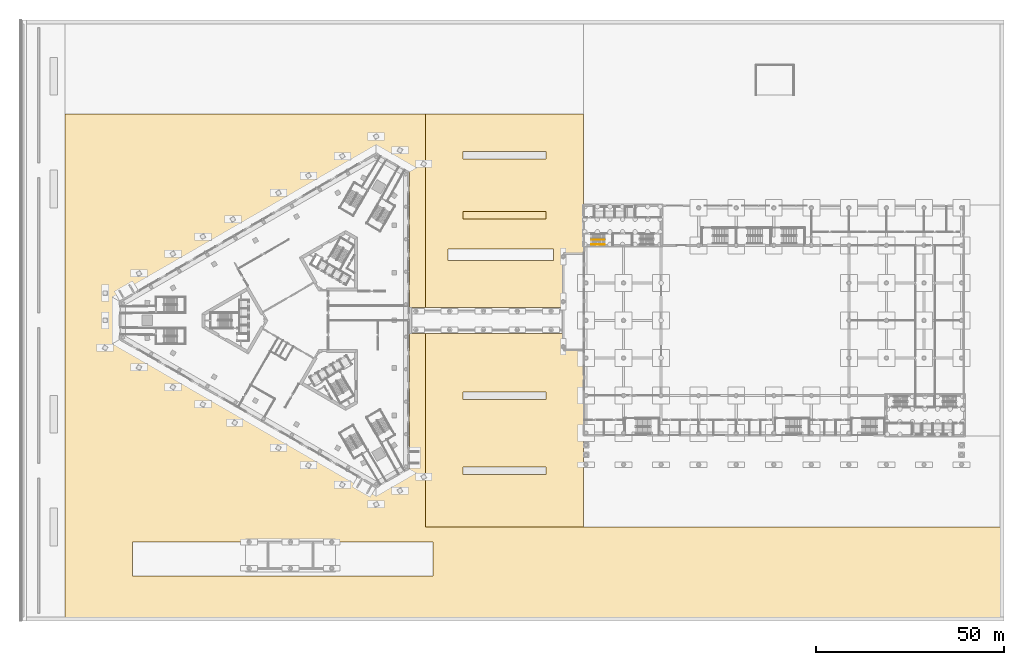
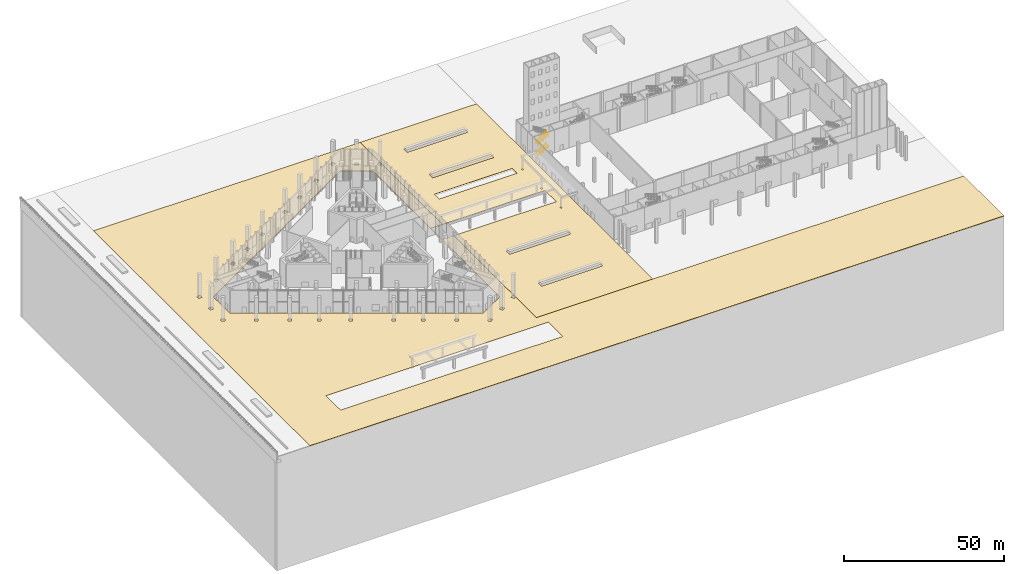
# One storey, part 57 of 63: 4 railings, 3 coverings.
"""IFC4 building model written with IfcOpenShell, lengths in metres."""

import ifcopenshell
import ifcopenshell.guid

model = None  # the IFC model being written
_history = None  # IfcOwnerHistory: only IFC2X3 demands one
_inside = {}  # id of a spatial element -> (the spatial element, [elements in it])
_under = {}  # id of a project, library or spatial element -> (it, [spatial elements below it])
_declared = {}  # id of a project -> (the project, [libraries it declares])
_typed = {}  # id of a type object -> (the type object, [elements of that type])
_made_of = {}  # id of a material, layer set ... -> (it, [elements and type objects made of it])


def new_model(schema):
    """Start an empty IFC model of exactly this schema.

    Asked for "IFC4X3", IfcOpenShell would pick the latest addendum, in which some entities
    have other attributes; the version numbers below select the first issue.
    IFC2X3 requires an IfcOwnerHistory on every rooted entity: one is made here for all.
    """
    global model, _history
    if schema == "IFC4X3":
        model = ifcopenshell.file(schema_version=(4, 3, 0, 0))
    else:
        model = ifcopenshell.file(schema=schema)
    _inside.clear()
    _under.clear()
    _declared.clear()
    _typed.clear()
    _made_of.clear()
    _history = None
    if model.schema == "IFC2X3":
        org = make("IfcOrganization", Name="unknown")
        user = make(
            "IfcPersonAndOrganization",
            ThePerson=make("IfcPerson", FamilyName="unknown"),
            TheOrganization=org,
        )
        app = make(
            "IfcApplication",
            ApplicationDeveloper=org,
            Version="unknown",
            ApplicationFullName="unknown",
            ApplicationIdentifier="unknown",
        )
        _history = make(
            "IfcOwnerHistory",
            OwningUser=user,
            OwningApplication=app,
            ChangeAction="ADDED",
            CreationDate=0,
        )
    return model


def make(cls, **values):
    """One entity of the class cls with the attributes given. An attribute that is None is left unset."""
    return model.create_entity(
        cls, **{name: value for name, value in values.items() if value is not None}
    )


def rooted(cls, **values):
    """An entity with a GlobalId (a new one), such as an element, a storey or a relation."""
    return make(cls, GlobalId=ifcopenshell.guid.new(), OwnerHistory=_history, **values)


def si_unit(unit_type, name, prefix=None):
    """IfcSIUnit, for example si_unit("LENGTHUNIT", "METRE", prefix="MILLI")."""
    return make("IfcSIUnit", UnitType=unit_type, Prefix=prefix, Name=name)


def assignment(units):
    """IfcUnitAssignment: the units of a project."""
    return None if units is None else make("IfcUnitAssignment", Units=units)


def point(xyz):
    """IfcCartesianPoint."""
    return None if xyz is None else make("IfcCartesianPoint", Coordinates=xyz)


def direction(xyz):
    """IfcDirection."""
    return None if xyz is None else make("IfcDirection", DirectionRatios=xyz)


def frame(location, z_axis=None, x_axis=None):
    """IfcAxis2Placement3D, a coordinate frame: its origin and axes. An axis left out is left unset."""
    return make(
        "IfcAxis2Placement3D",
        Location=point(location),
        Axis=direction(z_axis),
        RefDirection=direction(x_axis),
    )


def frame_2d(location, x_axis=None):
    """IfcAxis2Placement2D, a coordinate frame in the plane: its origin and x axis."""
    return make(
        "IfcAxis2Placement2D", Location=point(location), RefDirection=direction(x_axis)
    )


def origin():
    """The frame at (0, 0, 0) with its axes left unset."""
    return frame((0.0, 0.0, 0.0))


def origin_2d():
    """The frame at (0, 0) in the plane with its x axis left unset."""
    return frame_2d((0.0, 0.0))


def place(relative_to, where):
    """IfcLocalPlacement: puts the frame where relative to a parent placement (None: the world)."""
    return make(
        "IfcLocalPlacement", PlacementRelTo=relative_to, RelativePlacement=where
    )


def context(
    kind, dimensions, precision=None, world=None, true_north=None, identifier=None
):
    """IfcGeometricRepresentationContext, for example the 3D "Model" context."""
    return make(
        "IfcGeometricRepresentationContext",
        ContextIdentifier=identifier,
        ContextType=kind,
        CoordinateSpaceDimension=dimensions,
        Precision=precision,
        WorldCoordinateSystem=world,
        TrueNorth=true_north,
    )


def subcontext(parent, identifier, kind, view, scale=None):
    """IfcGeometricRepresentationSubContext, for example "Body" below "Model"."""
    return make(
        "IfcGeometricRepresentationSubContext",
        ContextIdentifier=identifier,
        ContextType=kind,
        ParentContext=parent,
        TargetScale=scale,
        TargetView=view,
    )


def project(units=None, contexts=None):
    """IfcProject with its units and contexts."""
    return rooted(
        "IfcProject",
        Name="project",
        RepresentationContexts=contexts,
        UnitsInContext=assignment(units),
    )


def spatial(cls, under=None, at=None, **own):
    """A site, building, storey or space (cls), placed at a placement, below another one or the project."""
    s = rooted(cls, ObjectPlacement=at, **own)
    if under is not None:
        _under.setdefault(under.id(), (under, []))[1].append(s)
    return s


def polyline(points):
    """IfcPolyline through the points."""
    return make("IfcPolyline", Points=[point(p) for p in points])


def profile(cls, at=None, kind="AREA", **sizes):
    """A parametric profile (cls). Its sizes go by their IFC names, for example OverallWidth=200.0."""
    return make(cls, ProfileType=kind, Position=at, **sizes)


def circle(**sizes):
    """IfcCircleProfileDef."""
    return profile("IfcCircleProfileDef", **sizes)


def outline(outer, holes=None, kind="AREA"):
    """IfcArbitraryClosedProfileDef: a profile drawn as a closed curve; with holes, ...WithVoids."""
    if holes is None:
        return make("IfcArbitraryClosedProfileDef", ProfileType=kind, OuterCurve=outer)
    return make(
        "IfcArbitraryProfileDefWithVoids",
        ProfileType=kind,
        OuterCurve=outer,
        InnerCurves=holes,
    )


def extrude(swept, where, along, depth):
    """IfcExtrudedAreaSolid: the profile swept, set in the frame where, extruded along a direction by depth."""
    return make(
        "IfcExtrudedAreaSolid",
        SweptArea=swept,
        Position=where,
        ExtrudedDirection=direction(along),
        Depth=depth,
    )


def shape(context_of_items, identifier, shape_type, items):
    """IfcShapeRepresentation: the items that make up one representation, for example the "Body"."""
    return make(
        "IfcShapeRepresentation",
        ContextOfItems=context_of_items,
        RepresentationIdentifier=identifier,
        RepresentationType=shape_type,
        Items=items,
    )


def material(Name=None, Category=None):
    """IfcMaterial."""
    return make("IfcMaterial", Name=Name, Category=Category)


def layer(
    of_material, thickness, ventilated=None, Name=None, Category=None, Priority=None
):
    """IfcMaterialLayer: one layer of a wall or slab, of a material (None: an air gap)."""
    return make(
        "IfcMaterialLayer",
        Material=of_material,
        LayerThickness=thickness,
        IsVentilated=ventilated,
        Name=Name,
        Category=Category,
        Priority=Priority,
    )


def layer_set(layers, Name=None):
    """IfcMaterialLayerSet."""
    return make("IfcMaterialLayerSet", MaterialLayers=layers, LayerSetName=Name)


def made_of(thing, what):
    """Note that an element or type object is made of a material, layer set ...; save() writes the relation."""
    if what is not None:
        _made_of.setdefault(what.id(), (what, []))[1].append(thing)
    return thing


def type_object(cls, material=None, **own):
    """A type object (cls), such as IfcWallType, which elements share."""
    return made_of(rooted(cls, **own), material)


def element(
    cls,
    number,
    at=None,
    inside=None,
    cuts=None,
    type_object=None,
    material=None,
    context=None,
    identifier="Body",
    shape_type=None,
    held_by="IfcProductDefinitionShape",
    body=None,
    shapes=None,
    **own,
):
    """One element of the class cls, such as IfcWall. Its Tag is "e" and its number.

    at: its placement. inside: the storey or other place that contains it. cuts: it is an
    opening in that element (IfcRelVoidsElement). A single representation is given by context,
    identifier, shape_type and body (its items); several are given by shapes. held_by: the class
    of the entity that holds the representations. save() writes the other relations.
    """
    e = rooted(cls, Tag="e%d" % number, ObjectPlacement=at, **own)
    if body is not None:
        shapes = [shape(context, identifier, shape_type, body)]
    if shapes is not None:
        e.Representation = make(held_by, Representations=shapes)
    if inside is not None:
        _inside.setdefault(inside.id(), (inside, []))[1].append(e)
    if cuts is not None:
        rooted(
            "IfcRelVoidsElement", RelatingBuildingElement=cuts, RelatedOpeningElement=e
        )
    if type_object is not None:
        _typed.setdefault(type_object.id(), (type_object, []))[1].append(e)
    return made_of(e, material)


def aggregate(whole, parts):
    """IfcRelAggregates: a whole, such as a stair, and the parts it consists of."""
    return rooted("IfcRelAggregates", RelatingObject=whole, RelatedObjects=parts)


def save(model, path):
    """Write the relations noted so far, then the file.

    IfcRelAggregates (storeys below a building ...), IfcRelContainedInSpatialStructure (elements
    in a storey), IfcRelDefinesByType, IfcRelAssociatesMaterial and IfcRelDeclares: one each for
    every whole, place, type object, material and project.
    """
    for whole, parts in _under.values():
        aggregate(whole, parts)
    for where, things in _inside.values():
        rooted(
            "IfcRelContainedInSpatialStructure",
            RelatedElements=things,
            RelatingStructure=where,
        )
    for kind, things in _typed.values():
        rooted("IfcRelDefinesByType", RelatedObjects=things, RelatingType=kind)
    for what, things in _made_of.values():
        rooted("IfcRelAssociatesMaterial", RelatedObjects=things, RelatingMaterial=what)
    for by, libraries in _declared.values():
        rooted("IfcRelDeclares", RelatingContext=by, RelatedDefinitions=libraries)
    model.write(path)


model = new_model("IFC4")

# Units and contexts
model_context = context("Model", 3, precision=1e-05, world=origin(), true_north=direction((0.0, 1.0)))
body_context = subcontext(model_context, "Body", "Model", "MODEL_VIEW")
ifc_project = project(units=[si_unit("LENGTHUNIT", "METRE"), si_unit("AREAUNIT", "SQUARE_METRE"), si_unit("VOLUMEUNIT", "CUBIC_METRE"), si_unit("PLANEANGLEUNIT", "RADIAN"), si_unit("MASSUNIT", "GRAM", prefix="KILO")], contexts=[model_context])

# Site, building, storey
site_placement = place(None, origin())
site = spatial("IfcSite", under=ifc_project, at=site_placement, CompositionType="ELEMENT")
building_placement = place(site_placement, origin())
building = spatial("IfcBuilding", under=site, at=building_placement, Name="Jabali Bay Hotel Tower and Convention Centre", CompositionType="ELEMENT")
storey_placement = place(building_placement, origin())
storey = spatial("IfcBuildingStorey", under=building, at=storey_placement, Name="L00", CompositionType="ELEMENT", Elevation=0.0)

# Railings
ifc_material_1 = material(Name="Stainless steel 304", Category="steel")
railing_type_1 = type_object("IfcRailingType", Name="CC Stair Guard 1100", PredefinedType="GUARDRAIL", material=ifc_material_1)
for number, where, name in (
    (1, (152.10009765625, 101.47509765625, 0.16064453125), "L00 CC-STWA stair guard 1"),
    (2, (152.10009765625, 101.47509765625, 4.66064453125), "L00 CC-STWA stair guard 5"),
):
    element("IfcRailing", number, at=place(storey_placement, frame(where)), inside=storey, type_object=railing_type_1, Name=name, PredefinedType="GUARDRAIL", context=body_context, shape_type="SweptSolid", body=[
        extrude(circle(Radius=0.02392578125, at=origin_2d()), frame((0.0, 0.0, 1.076171875), z_axis=(0.8672749571, 0.0, 0.497829437445), x_axis=(0.0, 1.0, 0.0)), (0.0, 0.0, 1.0), 4.197021484375),
        extrude(circle(Radius=0.02099609375, at=origin_2d()), origin(), (0.0, 0.0, 1.0), 1.052001953125),
        extrude(circle(Radius=0.02099609375, at=origin_2d()), frame((0.909912109375, 0.0, 0.5224609375)), (0.0, 0.0, 1.0), 1.052001953125),
        extrude(circle(Radius=0.02099609375, at=origin_2d()), frame((1.81982421875, 0.0, 1.044677734375)), (0.0, 0.0, 1.0), 1.052001953125),
        extrude(circle(Radius=0.02099609375, at=origin_2d()), frame((2.72998046875, 0.0, 1.56689453125)), (0.0, 0.0, 1.0), 1.052001953125),
        extrude(circle(Radius=0.02099609375, at=origin_2d()), frame((3.639892578125, 0.0, 2.08935546875)), (0.0, 0.0, 1.0), 1.052001953125),
    ])
railing_type_2 = type_object("IfcRailingType", Name="CC Stair Handrail 900", PredefinedType="HANDRAIL", material=ifc_material_1)
for number, where, name in (
    (3, (152.10009765625, 100.22509765625, 0.16064453125), "L00 CC-STWA stair handrail 1"),
    (4, (152.10009765625, 100.22509765625, 4.66064453125), "L00 CC-STWA stair handrail 3"),
):
    element("IfcRailing", number, at=place(storey_placement, frame(where)), inside=storey, type_object=railing_type_2, Name=name, PredefinedType="HANDRAIL", context=body_context, shape_type="SweptSolid", body=[
        extrude(circle(Radius=0.02392578125, at=origin_2d()), frame((0.0, 0.0, 0.8759765625), z_axis=(0.8672749571, 0.0, 0.497829437445), x_axis=(0.0, 1.0, 0.0)), (0.0, 0.0, 1.0), 4.197021484375),
        extrude(circle(Radius=0.02099609375, at=origin_2d()), origin(), (0.0, 0.0, 1.0), 0.851806640625),
        extrude(circle(Radius=0.02099609375, at=origin_2d()), frame((0.909912109375, 0.0, 0.5224609375)), (0.0, 0.0, 1.0), 0.851806640625),
        extrude(circle(Radius=0.02099609375, at=origin_2d()), frame((1.81982421875, 0.0, 1.044677734375)), (0.0, 0.0, 1.0), 0.851806640625),
        extrude(circle(Radius=0.02099609375, at=origin_2d()), frame((2.72998046875, 0.0, 1.56689453125)), (0.0, 0.0, 1.0), 0.851806640625),
        extrude(circle(Radius=0.02099609375, at=origin_2d()), frame((3.639892578125, 0.0, 2.08935546875)), (0.0, 0.0, 1.0), 0.851806640625),
    ])

# Coverings
ifc_material_2 = material(Name="Precast concrete paving flags", Category="concrete")
ifc_layer = layer(ifc_material_2, 0.14990234375)
ifc_layer_set = layer_set([ifc_layer], Name="Precast concrete paving flags")
covering_type = type_object("IfcCoveringType", Name="SI Paving 150", PredefinedType="USERDEFINED", material=ifc_layer_set)
covering_1_placement = place(storey_placement, frame((0.0, 0.0, -0.14990234375)))
element("IfcCovering", 5, at=covering_1_placement, inside=storey, type_object=covering_type, Name="SI garden paving", ObjectType="PAVING", PredefinedType="USERDEFINED", context=body_context, shape_type="SweptSolid", body=[
    extrude(outline(polyline([(108.0, 135.0), (108.0, 83.5), (144.89990234375, 83.5), (144.89990234375, 76.5), (108.0, 76.5), (108.0, 25.0), (150.0, 25.0), (150.0, 135.0), (108.0, 135.0)]), holes=[polyline([(118.0, 41.0), (140.0, 41.0), (140.0, 39.0), (118.0, 39.0), (118.0, 41.0)]), polyline([(118.0, 61.0), (140.0, 61.0), (140.0, 59.0), (118.0, 59.0), (118.0, 61.0)]), polyline([(144.35009765625, 73.25), (144.85009765625, 73.25), (144.85009765625, 72.75), (144.35009765625, 72.75), (144.35009765625, 73.25)]), polyline([(144.35009765625, 85.25), (144.85009765625, 85.25), (144.85009765625, 84.75), (144.35009765625, 84.75), (144.35009765625, 85.25)]), polyline([(144.35009765625, 97.25), (144.85009765625, 97.25), (144.85009765625, 96.75), (144.35009765625, 96.75), (144.35009765625, 97.25)]), polyline([(114.0, 99.0), (142.0, 99.0), (142.0, 96.0), (114.0, 96.0), (114.0, 99.0)]), polyline([(140.0, 109.0), (140.0, 107.0), (118.0, 107.0), (118.0, 109.0), (140.0, 109.0)]), polyline([(140.0, 125.0), (140.0, 123.0), (118.0, 123.0), (118.0, 125.0), (140.0, 125.0)])]), origin(), (0.0, 0.0, 1.0), 0.14990234375),
])
covering_2_placement = place(storey_placement, frame((0.0, 0.0, -0.14990234375)))
element("IfcCovering", 6, at=covering_2_placement, inside=storey, type_object=covering_type, Name="SI site paving 1", ObjectType="PAVING", PredefinedType="USERDEFINED", context=body_context, shape_type="SweptSolid", body=[
    extrude(outline(polyline([(103.800537109375, 76.5), (103.800048828125, 76.5), (103.800048828125, 76.50048828125), (103.800048828125, 83.49951171875), (103.800048828125, 83.5), (103.800537109375, 83.5), (107.97998046875, 83.5), (107.98193359375, 83.5), (107.98388671875, 83.50048828125), (107.98583984375, 83.5009765625), (107.987548828125, 83.50146484375), (107.989501953125, 83.50244140625), (107.9912109375, 83.50341796875), (107.99267578125, 83.504638671875), (107.994140625, 83.505859375), (107.995361328125, 83.50732421875), (107.99658203125, 83.5087890625), (107.99755859375, 83.510498046875), (107.99853515625, 83.512451171875), (107.9990234375, 83.51416015625), (107.99951171875, 83.51611328125), (108.0, 83.51806640625), (108.0, 83.52001953125), (108.0, 121.3388671875), (107.7197265625, 120.853271484375), (106.680419921875, 121.453125), (107.2802734375, 122.492431640625), (108.0, 122.076904296875), (108.0, 134.97998046875), (108.0, 134.98193359375), (107.99951171875, 134.98388671875), (107.9990234375, 134.98583984375), (107.99853515625, 134.987548828125), (107.99755859375, 134.989501953125), (107.99658203125, 134.9912109375), (107.995361328125, 134.99267578125), (107.994140625, 134.994140625), (107.99267578125, 134.995361328125), (107.9912109375, 134.99658203125), (107.989501953125, 134.99755859375), (107.987548828125, 134.99853515625), (107.98583984375, 134.9990234375), (107.98388671875, 134.99951171875), (107.98193359375, 135.0), (107.97998046875, 135.0), (12.02001953125, 135.0), (12.01806640625, 135.0), (12.01611328125, 134.99951171875), (12.01416015625, 134.9990234375), (12.012451171875, 134.99853515625), (12.010498046875, 134.99755859375), (12.0087890625, 134.99658203125), (12.00732421875, 134.995361328125), (12.005859375, 134.994140625), (12.004638671875, 134.99267578125), (12.00341796875, 134.9912109375), (12.00244140625, 134.989501953125), (12.00146484375, 134.987548828125), (12.0009765625, 134.98583984375), (12.00048828125, 134.98388671875), (12.0, 134.98193359375), (12.0, 134.97998046875), (12.0, 0.02001953125), (12.0, 0.01806640625), (12.00048828125, 0.01611328125), (12.0009765625, 0.01416015625), (12.00146484375, 0.012451171875), (12.00244140625, 0.010498046875), (12.00341796875, 0.0087890625), (12.004638671875, 0.00732421875), (12.005859375, 0.005859375), (12.00732421875, 0.004638671875), (12.0087890625, 0.00341796875), (12.010498046875, 0.00244140625), (12.012451171875, 0.00146484375), (12.01416015625, 0.0009765625), (12.01611328125, 0.00048828125), (12.01806640625, 0.0), (12.02001953125, 0.0), (261.97998046875, 0.0), (261.98193359375, 0.0), (261.98388671875, 0.00048828125), (261.98583984375, 0.0009765625), (261.987548828125, 0.00146484375), (261.989501953125, 0.00244140625), (261.9912109375, 0.00341796875), (261.99267578125, 0.004638671875), (261.994140625, 0.005859375), (261.995361328125, 0.00732421875), (261.99658203125, 0.0087890625), (261.99755859375, 0.010498046875), (261.99853515625, 0.012451171875), (261.9990234375, 0.01416015625), (261.99951171875, 0.01611328125), (262.0, 0.01806640625), (262.0, 0.02001953125), (262.0, 24.97998046875), (262.0, 24.98193359375), (261.99951171875, 24.98388671875), (261.9990234375, 24.98583984375), (261.99853515625, 24.987548828125), (261.99755859375, 24.989501953125), (261.99658203125, 24.9912109375), (261.995361328125, 24.99267578125), (261.994140625, 24.994140625), (261.99267578125, 24.995361328125), (261.9912109375, 24.99658203125), (261.989501953125, 24.99755859375), (261.987548828125, 24.99853515625), (261.98583984375, 24.9990234375), (261.98388671875, 24.99951171875), (261.98193359375, 25.0), (261.97998046875, 25.0), (108.00048828125, 25.0), (108.0, 25.0), (108.0, 25.00048828125), (108.0, 37.923095703125), (107.2802734375, 37.507568359375), (106.680419921875, 38.546875), (107.7197265625, 39.146728515625), (108.0, 38.6611328125), (108.0, 76.47998046875), (108.0, 76.48193359375), (107.99951171875, 76.48388671875), (107.9990234375, 76.48583984375), (107.99853515625, 76.487548828125), (107.99755859375, 76.489501953125), (107.99658203125, 76.4912109375), (107.995361328125, 76.49267578125), (107.994140625, 76.494140625), (107.99267578125, 76.495361328125), (107.9912109375, 76.49658203125), (107.989501953125, 76.49755859375), (107.987548828125, 76.49853515625), (107.98583984375, 76.4990234375), (107.98388671875, 76.49951171875), (107.98193359375, 76.5), (107.97998046875, 76.5), (103.800537109375, 76.5)]), holes=[polyline([(30.00048828125, 12.0), (30.0, 12.0), (30.0, 12.00048828125), (30.0, 20.99951171875), (30.0, 21.0), (30.00048828125, 21.0), (109.99951171875, 21.0), (110.0, 21.0), (110.0, 20.99951171875), (110.0, 12.00048828125), (110.0, 12.0), (109.99951171875, 12.0), (30.00048828125, 12.0)]), polyline([(26.41064453125, 74.85546875), (26.41015625, 74.855712890625), (26.41015625, 74.856201171875), (26.41015625, 85.143798828125), (26.41015625, 85.144287109375), (26.41064453125, 85.14453125), (94.83935546875, 124.65185546875), (94.83984375, 124.652099609375), (94.840087890625, 124.65185546875), (103.74951171875, 119.508056640625), (103.75, 119.5078125), (103.75, 119.50732421875), (103.75, 40.49267578125), (103.75, 40.4921875), (103.74951171875, 40.491943359375), (94.840087890625, 35.34814453125), (94.83984375, 35.347900390625), (94.83935546875, 35.34814453125), (26.41064453125, 74.85546875)]), polyline([(57.410888671875, 51.9345703125), (56.37158203125, 52.53466796875), (56.971435546875, 53.57373046875), (58.0107421875, 52.973876953125), (57.410888671875, 51.9345703125)]), polyline([(47.86865234375, 57.443603515625), (48.46875, 58.48291015625), (49.508056640625, 57.8828125), (48.907958984375, 56.84375), (47.86865234375, 57.443603515625)]), polyline([(39.885498046875, 62.052734375), (40.485595703125, 63.092041015625), (41.524658203125, 62.491943359375), (40.9248046875, 61.452880859375), (39.885498046875, 62.052734375)]), polyline([(30.863037109375, 67.261962890625), (31.463134765625, 68.301025390625), (32.502197265625, 67.701171875), (31.90234375, 66.661865234375), (30.863037109375, 67.261962890625)]), polyline([(22.440673828125, 73.51025390625), (23.47998046875, 72.91015625), (22.8798828125, 71.87109375), (21.840576171875, 72.470947265625), (22.440673828125, 73.51025390625)]), polyline([(22.060302734375, 80.60009765625), (23.26025390625, 80.60009765625), (23.26025390625, 79.39990234375), (22.060302734375, 79.39990234375), (22.060302734375, 80.60009765625)]), polyline([(22.060302734375, 87.909423828125), (23.26025390625, 87.909423828125), (23.26025390625, 86.70947265625), (22.060302734375, 86.70947265625), (22.060302734375, 87.909423828125)]), polyline([(32.502197265625, 92.298828125), (31.463134765625, 91.698974609375), (30.863037109375, 92.738037109375), (31.90234375, 93.338134765625), (32.502197265625, 92.298828125)]), polyline([(40.9248046875, 98.547119140625), (41.524658203125, 97.508056640625), (40.485595703125, 96.907958984375), (39.885498046875, 97.947265625), (40.9248046875, 98.547119140625)]), polyline([(48.907958984375, 103.15625), (49.508056640625, 102.1171875), (48.46875, 101.51708984375), (47.86865234375, 102.556396484375), (48.907958984375, 103.15625)]), polyline([(57.4912109375, 106.726318359375), (56.451904296875, 106.126220703125), (55.851806640625, 107.16552734375), (56.89111328125, 107.765380859375), (57.4912109375, 106.726318359375)]), polyline([(69.03125, 114.774658203125), (69.63134765625, 113.7353515625), (68.592041015625, 113.13525390625), (67.991943359375, 114.174560546875), (69.03125, 114.774658203125)]), polyline([(94.6201171875, 30.1982421875), (94.02001953125, 31.2373046875), (95.059326171875, 31.83740234375), (95.659423828125, 30.798095703125), (94.6201171875, 30.1982421875)]), polyline([(100.350341796875, 34.89208984375), (101.389404296875, 35.4921875), (101.989501953125, 34.452880859375), (100.9501953125, 33.852783203125), (100.350341796875, 34.89208984375)]), polyline([(84.997802734375, 36.00732421875), (85.59765625, 37.04638671875), (86.636962890625, 36.446533203125), (86.036865234375, 35.4072265625), (84.997802734375, 36.00732421875)]), polyline([(76.5751953125, 42.255615234375), (77.614501953125, 41.655517578125), (77.014404296875, 40.616455078125), (75.975341796875, 41.21630859375), (76.5751953125, 42.255615234375)]), polyline([(67.991943359375, 45.825439453125), (68.592041015625, 46.86474609375), (69.63134765625, 46.2646484375), (69.03125, 45.225341796875), (67.991943359375, 45.825439453125)]), polyline([(77.614501953125, 118.344482421875), (76.5751953125, 117.744384765625), (75.975341796875, 118.78369140625), (77.014404296875, 119.383544921875), (77.614501953125, 118.344482421875)]), polyline([(84.997802734375, 123.99267578125), (86.036865234375, 124.5927734375), (86.636962890625, 123.553466796875), (85.59765625, 122.95361328125), (84.997802734375, 123.99267578125)]), polyline([(101.389404296875, 124.5078125), (100.350341796875, 125.10791015625), (100.9501953125, 126.147216796875), (101.989501953125, 125.547119140625), (101.389404296875, 124.5078125)]), polyline([(95.659423828125, 128.7626953125), (94.6201171875, 128.16259765625), (94.02001953125, 129.201904296875), (95.059326171875, 129.8017578125), (95.659423828125, 128.7626953125)])]), origin(), (0.0, 0.0, 1.0), 0.14990234375),
])
covering_3_placement = place(storey_placement, frame((0.0, 0.0, -0.14990234375)))
element("IfcCovering", 7, at=covering_3_placement, inside=storey, type_object=covering_type, Name="SI site paving 3", ObjectType="PAVING", PredefinedType="USERDEFINED", context=body_context, shape_type="SweptSolid", body=[
    extrude(outline(polyline([(140.0, 107.01806640625), (140.0, 107.02001953125), (140.0, 108.97998046875), (140.0, 108.98193359375), (139.99951171875, 108.98388671875), (139.9990234375, 108.98583984375), (139.99853515625, 108.987548828125), (139.99755859375, 108.989501953125), (139.99658203125, 108.9912109375), (139.995361328125, 108.99267578125), (139.994140625, 108.994140625), (139.99267578125, 108.995361328125), (139.9912109375, 108.99658203125), (139.989501953125, 108.99755859375), (139.987548828125, 108.99853515625), (139.98583984375, 108.9990234375), (139.98388671875, 108.99951171875), (139.98193359375, 109.0), (139.97998046875, 109.0), (118.02001953125, 109.0), (118.01806640625, 109.0), (118.01611328125, 108.99951171875), (118.01416015625, 108.9990234375), (118.012451171875, 108.99853515625), (118.010498046875, 108.99755859375), (118.0087890625, 108.99658203125), (118.00732421875, 108.995361328125), (118.005859375, 108.994140625), (118.004638671875, 108.99267578125), (118.00341796875, 108.9912109375), (118.00244140625, 108.989501953125), (118.00146484375, 108.987548828125), (118.0009765625, 108.98583984375), (118.00048828125, 108.98388671875), (118.0, 108.98193359375), (118.0, 108.97998046875), (118.0, 107.02001953125), (118.0, 107.01806640625), (118.00048828125, 107.01611328125), (118.0009765625, 107.01416015625), (118.00146484375, 107.012451171875), (118.00244140625, 107.010498046875), (118.00341796875, 107.0087890625), (118.004638671875, 107.00732421875), (118.005859375, 107.005859375), (118.00732421875, 107.004638671875), (118.0087890625, 107.00341796875), (118.010498046875, 107.00244140625), (118.012451171875, 107.00146484375), (118.01416015625, 107.0009765625), (118.01611328125, 107.00048828125), (118.01806640625, 107.0), (118.02001953125, 107.0), (139.97998046875, 107.0), (139.98193359375, 107.0), (139.98388671875, 107.00048828125), (139.98583984375, 107.0009765625), (139.987548828125, 107.00146484375), (139.989501953125, 107.00244140625), (139.9912109375, 107.00341796875), (139.99267578125, 107.004638671875), (139.994140625, 107.005859375), (139.995361328125, 107.00732421875), (139.99658203125, 107.0087890625), (139.99755859375, 107.010498046875), (139.99853515625, 107.012451171875), (139.9990234375, 107.01416015625), (139.99951171875, 107.01611328125), (140.0, 107.01806640625)])), origin(), (0.0, 0.0, 1.0), 0.14990234375),
])

save(model, "model.ifc")
